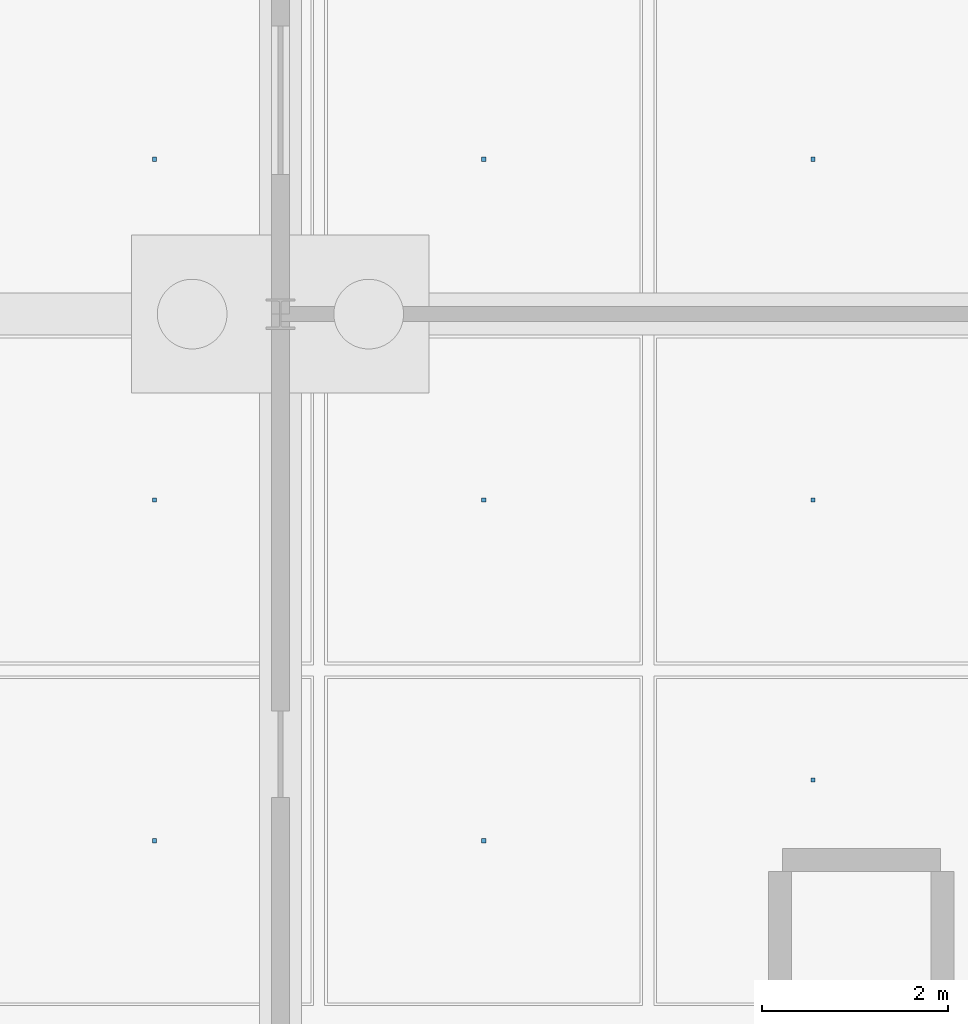
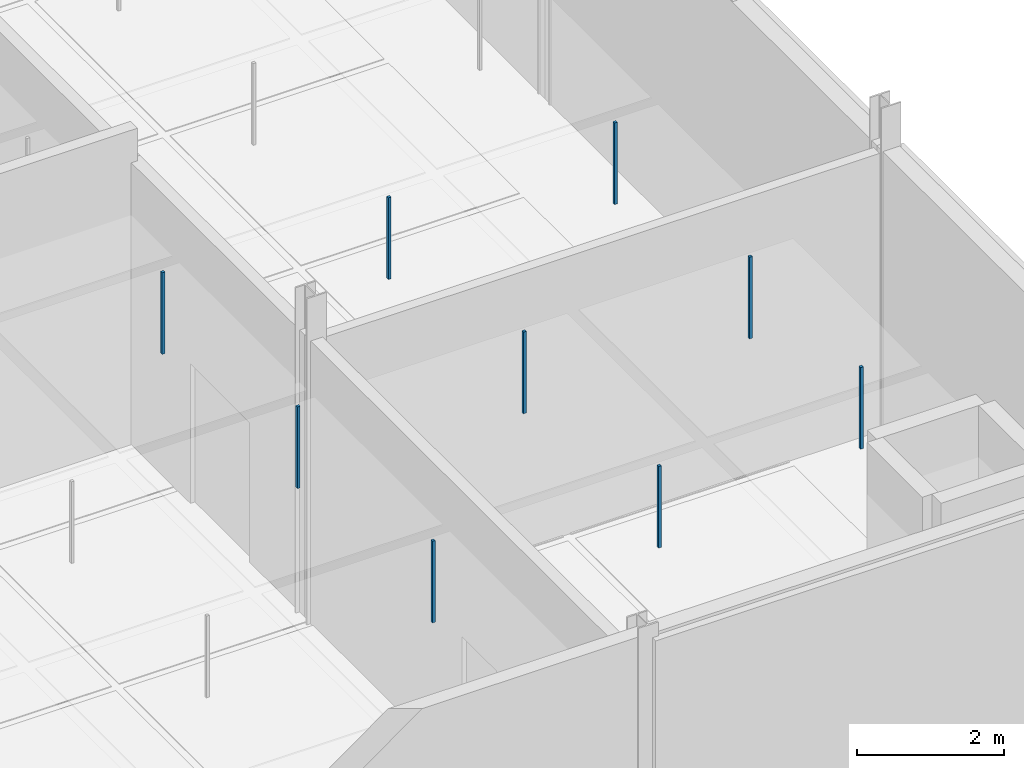
# One storey, part 148 of 180: 9 discrete accessories.
"""IFC4 building model written with IfcOpenShell, lengths in metres."""

from ifc_helpers import new_model, si_unit, direction, frame, origin, origin_2d, place, context, subcontext, project, spatial, rectangle, extrude, material, type_object, element, save


model = new_model("IFC4")

# Units and contexts
model_context = context("Model", 3, precision=1e-05, world=origin(), true_north=direction((0.0, 1.0)))
body_context = subcontext(model_context, "Body", "Model", "MODEL_VIEW")
ifc_project = project(units=[si_unit("LENGTHUNIT", "METRE"), si_unit("AREAUNIT", "SQUARE_METRE"), si_unit("VOLUMEUNIT", "CUBIC_METRE"), si_unit("PLANEANGLEUNIT", "RADIAN"), si_unit("MASSUNIT", "GRAM", prefix="KILO"), si_unit("THERMODYNAMICTEMPERATUREUNIT", "KELVIN"), si_unit("POWERUNIT", "WATT")], contexts=[model_context])

# Site, building, storey
site_placement = place(None, origin())
site = spatial("IfcSite", under=ifc_project, at=site_placement, CompositionType="ELEMENT")
building_placement = place(site_placement, origin())
building = spatial("IfcBuilding", under=site, at=building_placement, Name="Tallowbark Science Centre", CompositionType="ELEMENT")
storey_placement = place(building_placement, origin())
storey = spatial("IfcBuildingStorey", under=building, at=storey_placement, Name="L00", CompositionType="ELEMENT", Elevation=0.0)

# Discrete accessories
ifc_material = material(Name="Galvanised Steel Grade C350L0 (350 MPa)", Category="steel")
discrete_accessory_type = type_object("IfcDiscreteAccessoryType", Name="ACC-CLG-HNG", PredefinedType="BRACKET", material=ifc_material)
for number, where, z_axis, x_axis, name in (
    (1, (147.145751953125, 3.333251953125, 3.8095703125), (0.0, 0.0, 1.0), (1.0, 0.0, 0.0), "Ceiling Hanger Bracket L00-270"),
    (2, (147.145751953125, 7.0, 3.8095703125), (0.0, 0.0, 1.0), (1.0, 0.0, 0.0), "Ceiling Hanger Bracket L00-271"),
    (3, (147.145751953125, 10.666748046875, 3.8095703125), (0.0, 0.0, 1.0), (1.0, 0.0, 0.0), "Ceiling Hanger Bracket L00-272"),
    (4, (150.6875, 3.333251953125, 3.8095703125), (0.0, 0.0, 1.0), (1.0, 0.0, 0.0), "Ceiling Hanger Bracket L00-279"),
    (5, (150.6875, 7.0, 3.8095703125), (0.0, 0.0, 1.0), (1.0, 0.0, 0.0), "Ceiling Hanger Bracket L00-280"),
    (6, (150.6875, 10.666748046875, 3.8095703125), (0.0, 0.0, 1.0), (1.0, 0.0, 0.0), "Ceiling Hanger Bracket L00-281"),
    (7, (154.229248046875, 3.98828125, 3.8095703125), (0.0, 0.0, 1.0), (1.0, 0.0, 0.0), "Ceiling Hanger Bracket L00-288"),
    (8, (154.229248046875, 7.0, 3.8095703125), (0.0, 0.0, 1.0), (1.0, 0.0, 0.0), "Ceiling Hanger Bracket L00-289"),
    (9, (154.229248046875, 10.666748046875, 3.8095703125), (0.0, 0.0, 1.0), (1.0, 0.0, 0.0), "Ceiling Hanger Bracket L00-290"),
):
    element("IfcDiscreteAccessory", number, at=place(storey_placement, frame(where, z_axis=z_axis, x_axis=x_axis)), inside=storey, type_object=discrete_accessory_type, Name=name, PredefinedType="BRACKET", context=body_context, shape_type="SweptSolid", body=[
        extrude(rectangle(XDim=0.044921875, YDim=0.044921875, at=origin_2d()), origin(), (0.0, 0.0, 1.0), 1.353515625),
    ])

save(model, "model.ifc")
